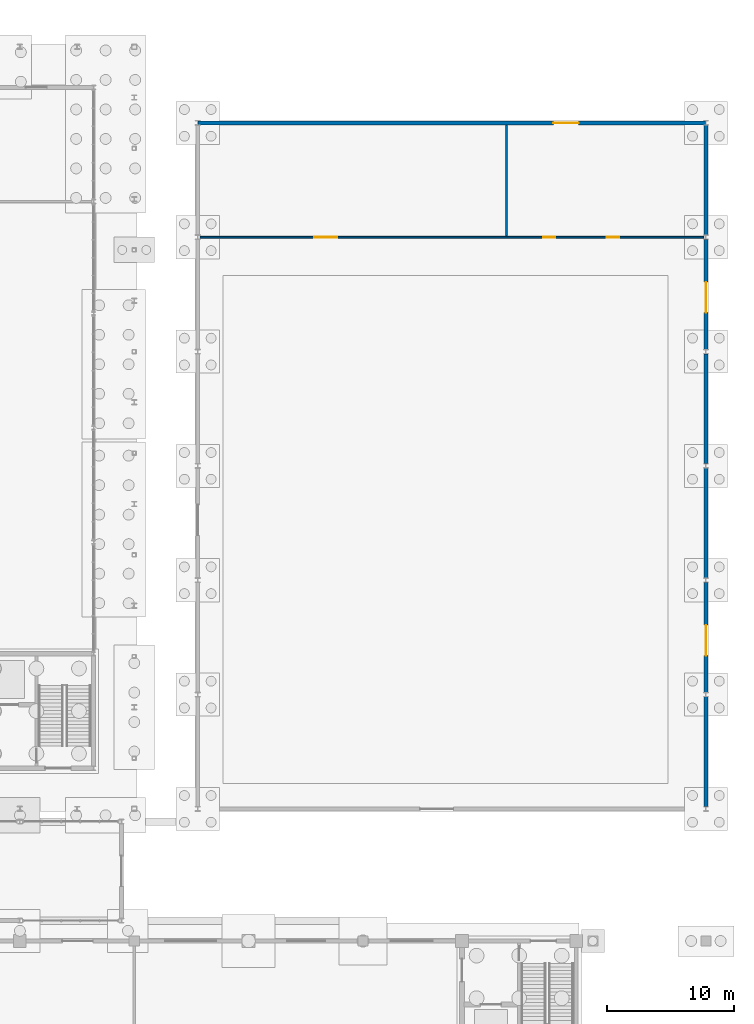
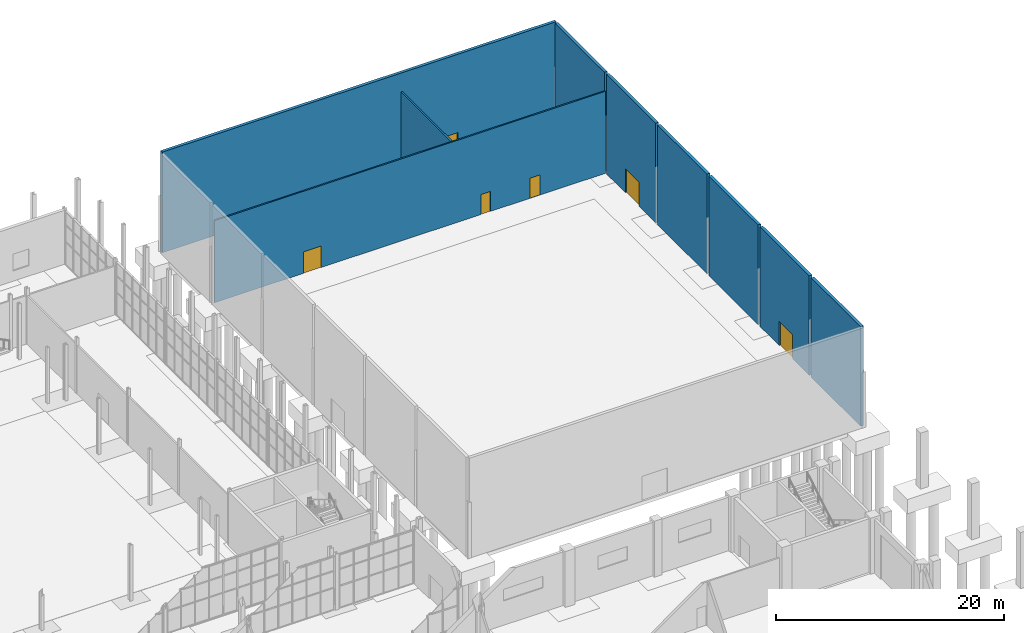
# One storey, part 107 of 131: 9 walls, 6 doors, 6 openings.
"""IFC4 building model written with IfcOpenShell, lengths in metres."""

from ifc_helpers import new_model, si_unit, direction, frame, frame_2d, origin, place, context, subcontext, project, spatial, rectangle, extrude, material, layer, layer_set, type_object, element, fill, save


model = new_model("IFC4")

# Units and contexts
model_context = context("Model", 3, precision=1e-05, world=origin(), true_north=direction((0.0, 1.0)))
body_context = subcontext(model_context, "Body", "Model", "MODEL_VIEW")
ifc_project = project(units=[si_unit("LENGTHUNIT", "METRE"), si_unit("AREAUNIT", "SQUARE_METRE"), si_unit("VOLUMEUNIT", "CUBIC_METRE"), si_unit("PLANEANGLEUNIT", "RADIAN"), si_unit("MASSUNIT", "GRAM", prefix="KILO")], contexts=[model_context])

# Site, building, storey
site_placement = place(None, origin())
site = spatial("IfcSite", under=ifc_project, at=site_placement, CompositionType="ELEMENT")
building_placement = place(site_placement, origin())
building = spatial("IfcBuilding", under=site, at=building_placement, Name="Cazmaro Siding Exhibition Halls", CompositionType="ELEMENT")
storey_placement = place(building_placement, origin())
storey = spatial("IfcBuildingStorey", under=building, at=storey_placement, Name="L00", CompositionType="ELEMENT", Elevation=0.0)

# Wall
ifc_material_1 = material(Name="Concrete f'c 45 MPa", Category="concrete")
ifc_layer_1 = layer(ifc_material_1, 0.300048828125)
ifc_layer_set_1 = layer_set([ifc_layer_1], Name="Concrete f'c 45 MPa")
wall_type_1 = type_object("IfcWallType", Name="EW-03", PredefinedType="STANDARD", material=ifc_layer_set_1)
wall_1_placement = place(storey_placement, frame((216.0, 72.827880859375, 0.0), z_axis=(0.0, 0.0, 1.0), x_axis=(0.0, -1.0, 0.0)))
element("IfcWall", 1, at=wall_1_placement, inside=storey, type_object=wall_type_1, Name="Sawtooth Pavilion East Wall EW-03 WL-E0156", PredefinedType="STANDARD", context=body_context, shape_type="SweptSolid", body=[
    extrude(rectangle(XDim=8.65576171875, YDim=0.300048828125, at=frame_2d((4.327880859375, 0.0))), origin(), (0.0, 0.0, 1.0), 10.679931640625),
])

# Wall, opening, door
wall_2_placement = place(storey_placement, frame((216.0, 81.827880859375, 0.0), z_axis=(0.0, 0.0, 1.0), x_axis=(0.0, -1.0, 0.0)))
wall_2 = element("IfcWall", 2, at=wall_2_placement, inside=storey, type_object=wall_type_1, Name="Sawtooth Pavilion East Wall EW-03 WL-E0158", PredefinedType="STANDARD", context=body_context, shape_type="SweptSolid", body=[
    extrude(rectangle(XDim=8.65576171875, YDim=0.300048828125, at=frame_2d((4.327880859375, 0.0))), origin(), (0.0, 0.0, 1.0), 10.679931640625),
])
opening_1_placement = place(wall_2_placement, frame((3.35595703125, 0.0, 0.0)))
opening_1 = element("IfcOpeningElement", 3, at=opening_1_placement, cuts=wall_2, Name="Opening D-E032", PredefinedType="OPENING", context=body_context, shape_type="SweptSolid", body=[
    extrude(rectangle(XDim=2.39990234375, YDim=2.60009765625, at=frame_2d((1.199951171875, 1.300048828125))), frame((0.0, 0.159912109375, 0.0), z_axis=(0.0, -1.0, 0.0), x_axis=(1.0, 0.0, 0.0)), (0.0, 0.0, 1.0), 0.320068359375),
])
ifc_material_2 = material(Name="Anodized Bronze Glazed Entrance Door", Category="aluminium")
door_type_1 = type_object("IfcDoorType", Name="ED-02", OperationType="DOUBLE_DOOR_SINGLE_SWING", PredefinedType="DOOR", material=ifc_material_2)
door_1_placement = place(opening_1_placement, origin())
door_1 = element("IfcDoor", 4, at=door_1_placement, inside=storey, type_object=door_type_1, Name="Exterior door D-E032 (ED-02)", OperationType="DOUBLE_DOOR_SINGLE_SWING", OverallHeight=2.60009765625, OverallWidth=2.39990234375, PredefinedType="DOOR", context=body_context, shape_type="SweptSolid", body=[
    extrude(rectangle(XDim=2.39990234375, YDim=2.60009765625, at=frame_2d((1.199951171875, 1.300048828125))), frame((0.0, 0.02490234375, 0.0), z_axis=(0.0, -1.0, 0.0), x_axis=(1.0, 0.0, 0.0)), (0.0, 0.0, 1.0), 0.050048828125),
])
fill(opening_1, door_1)

# Walls
for number, where, z_axis, x_axis, name in (
    (5, (216.0, 90.827880859375, 0.0), (0.0, 0.0, 1.0), (0.0, -1.0, 0.0), "Sawtooth Pavilion East Wall EW-03 WL-E0160"),
    (6, (216.0, 99.827880859375, 0.0), (0.0, 0.0, 1.0), (0.0, -1.0, 0.0), "Sawtooth Pavilion East Wall EW-03 WL-E0162"),
):
    element("IfcWall", number, at=place(storey_placement, frame(where, z_axis=z_axis, x_axis=x_axis)), inside=storey, type_object=wall_type_1, Name=name, PredefinedType="STANDARD", context=body_context, shape_type="SweptSolid", body=[
        extrude(rectangle(XDim=8.65576171875, YDim=0.300048828125, at=frame_2d((4.327880859375, 0.0))), origin(), (0.0, 0.0, 1.0), 10.679931640625),
    ])

# Wall, opening, door
wall_3_placement = place(storey_placement, frame((216.0, 108.827880859375, 0.0), z_axis=(0.0, 0.0, 1.0), x_axis=(0.0, -1.0, 0.0)))
wall_3 = element("IfcWall", 7, at=wall_3_placement, inside=storey, type_object=wall_type_1, Name="Sawtooth Pavilion East Wall EW-03 WL-E0164", PredefinedType="STANDARD", context=body_context, shape_type="SweptSolid", body=[
    extrude(rectangle(XDim=8.65576171875, YDim=0.300048828125, at=frame_2d((4.327880859375, 0.0))), origin(), (0.0, 0.0, 1.0), 10.679931640625),
])
opening_2_placement = place(wall_3_placement, frame((3.35595703125, 0.0, 0.0)))
opening_2 = element("IfcOpeningElement", 8, at=opening_2_placement, cuts=wall_3, Name="Opening D-E034", PredefinedType="OPENING", context=body_context, shape_type="SweptSolid", body=[
    extrude(rectangle(XDim=2.39990234375, YDim=2.60009765625, at=frame_2d((1.199951171875, 1.300048828125))), frame((0.0, 0.159912109375, 0.0), z_axis=(0.0, -1.0, 0.0), x_axis=(1.0, 0.0, 0.0)), (0.0, 0.0, 1.0), 0.320068359375),
])
door_2_placement = place(opening_2_placement, origin())
door_2 = element("IfcDoor", 9, at=door_2_placement, inside=storey, type_object=door_type_1, Name="Exterior door D-E034 (ED-02)", OperationType="DOUBLE_DOOR_SINGLE_SWING", OverallHeight=2.60009765625, OverallWidth=2.39990234375, PredefinedType="DOOR", context=body_context, shape_type="SweptSolid", body=[
    extrude(rectangle(XDim=2.39990234375, YDim=2.60009765625, at=frame_2d((1.199951171875, 1.300048828125))), frame((0.0, 0.02490234375, 0.0), z_axis=(0.0, -1.0, 0.0), x_axis=(1.0, 0.0, 0.0)), (0.0, 0.0, 1.0), 0.050048828125),
])
fill(opening_2, door_2)

# Wall
wall_4_placement = place(storey_placement, frame((216.0, 117.827880859375, 0.0), z_axis=(0.0, 0.0, 1.0), x_axis=(0.0, -1.0, 0.0)))
element("IfcWall", 10, at=wall_4_placement, inside=storey, type_object=wall_type_1, Name="Sawtooth Pavilion East Wall EW-03 WL-E0166", PredefinedType="STANDARD", context=body_context, shape_type="SweptSolid", body=[
    extrude(rectangle(XDim=8.65576171875, YDim=0.300048828125, at=frame_2d((4.327880859375, 0.0))), origin(), (0.0, 0.0, 1.0), 10.679931640625),
])

# Wall, opening, door
wall_5_placement = place(storey_placement, frame((176.012939453125, 118.0, 0.0), z_axis=(0.0, 0.0, 1.0), x_axis=(1.0, 0.0, 0.0)))
wall_5 = element("IfcWall", 11, at=wall_5_placement, inside=storey, type_object=wall_type_1, Name="Sawtooth Pavilion North Wall EW-03 WL-E0169", PredefinedType="STANDARD", context=body_context, shape_type="SweptSolid", body=[
    extrude(rectangle(XDim=39.97412109375, YDim=0.300048828125, at=frame_2d((19.987060546875, 0.0))), origin(), (0.0, 0.0, 1.0), 10.800048828125),
])
opening_3_placement = place(wall_5_placement, frame((27.97412109375, 0.0, 0.0)))
opening_3 = element("IfcOpeningElement", 12, at=opening_3_placement, cuts=wall_5, Name="Opening D-E036", PredefinedType="OPENING", context=body_context, shape_type="SweptSolid", body=[
    extrude(rectangle(XDim=2.0, YDim=2.39990234375, at=frame_2d((1.0, 1.199951171875))), frame((0.0, 0.159912109375, 0.0), z_axis=(0.0, -1.0, 0.0), x_axis=(1.0, 0.0, 0.0)), (0.0, 0.0, 1.0), 0.320068359375),
])
ifc_material_3 = material(Name="Anodized Bronze Glazed Entrance Door", Category="aluminium")
door_type_2 = type_object("IfcDoorType", Name="ED-01", OperationType="DOUBLE_DOOR_SINGLE_SWING", PredefinedType="DOOR", material=ifc_material_3)
door_3_placement = place(opening_3_placement, origin())
door_3 = element("IfcDoor", 13, at=door_3_placement, inside=storey, type_object=door_type_2, Name="Exterior door D-E036 (ED-01)", OperationType="DOUBLE_DOOR_SINGLE_SWING", OverallHeight=2.39990234375, OverallWidth=2.0, PredefinedType="DOOR", context=body_context, shape_type="SweptSolid", body=[
    extrude(rectangle(XDim=2.0, YDim=2.39990234375, at=frame_2d((1.0, 1.199951171875))), frame((0.0, 0.02490234375, 0.0), z_axis=(0.0, -1.0, 0.0), x_axis=(1.0, 0.0, 0.0)), (0.0, 0.0, 1.0), 0.050048828125),
])
fill(opening_3, door_3)

# Wall, openings, doors
ifc_material_4 = material(Name="Fire-Rated Gypsum Board on Cold-Formed Steel Studs", Category="steel")
ifc_layer_2 = layer(ifc_material_4, 0.14501953125)
ifc_layer_set_2 = layer_set([ifc_layer_2], Name="Fire-Rated Gypsum Board on Cold-Formed Steel Studs")
wall_type_2 = type_object("IfcWallType", Name="PW-01", PredefinedType="PARTITIONING", material=ifc_layer_set_2)
wall_6_placement = place(storey_placement, frame((176.178955078125, 109.0, 0.0), z_axis=(0.0, 0.0, 1.0), x_axis=(1.0, 0.0, 0.0)))
wall_6 = element("IfcWall", 14, at=wall_6_placement, inside=storey, type_object=wall_type_2, Name="Pavilion C Service Partition PW-01 WL-I0167", PredefinedType="PARTITIONING", context=body_context, shape_type="SweptSolid", body=[
    extrude(rectangle(XDim=39.64208984375, YDim=0.14501953125, at=frame_2d((19.821044921875, 0.0))), origin(), (0.0, 0.0, 1.0), 8.800048828125),
])
opening_4_placement = place(wall_6_placement, frame((9.0, 0.0, 0.0)))
opening_4 = element("IfcOpeningElement", 15, at=opening_4_placement, cuts=wall_6, Name="Opening D-I079", PredefinedType="OPENING", context=body_context, shape_type="SweptSolid", body=[
    extrude(rectangle(XDim=1.800048828125, YDim=2.300048828125, at=frame_2d((0.89990234375, 1.14990234375))), frame((0.0, 0.08251953125, 0.0), z_axis=(0.0, -1.0, 0.0), x_axis=(1.0, 0.0, 0.0)), (0.0, 0.0, 1.0), 0.1650390625),
])
opening_5_placement = place(wall_6_placement, frame((27.0, 0.0, 0.0)))
opening_5 = element("IfcOpeningElement", 16, at=opening_5_placement, cuts=wall_6, Name="Opening D-I080", PredefinedType="OPENING", context=body_context, shape_type="SweptSolid", body=[
    extrude(rectangle(XDim=0.97998046875, YDim=2.14990234375, at=frame_2d((0.489990234375, 1.074951171875))), frame((0.0, 0.08251953125, 0.0), z_axis=(0.0, -1.0, 0.0), x_axis=(1.0, 0.0, 0.0)), (0.0, 0.0, 1.0), 0.1650390625),
])
opening_6_placement = place(wall_6_placement, frame((32.0, 0.0, 0.0)))
opening_6 = element("IfcOpeningElement", 17, at=opening_6_placement, cuts=wall_6, Name="Opening D-I081", PredefinedType="OPENING", context=body_context, shape_type="SweptSolid", body=[
    extrude(rectangle(XDim=1.02001953125, YDim=2.159912109375, at=frame_2d((0.510009765625, 1.080078125))), frame((0.0, 0.08251953125, 0.0), z_axis=(0.0, -1.0, 0.0), x_axis=(1.0, 0.0, 0.0)), (0.0, 0.0, 1.0), 0.1650390625),
])
ifc_material_5 = material(Name="Fire-Rated Painted Hollow Metal Door", Category="steel")
door_type_3 = type_object("IfcDoorType", Name="ID-02", OperationType="DOUBLE_DOOR_SINGLE_SWING", PredefinedType="DOOR", material=ifc_material_5)
door_4_placement = place(opening_4_placement, origin())
door_4 = element("IfcDoor", 18, at=door_4_placement, inside=storey, type_object=door_type_3, Name="Interior door D-I079 (ID-02)", OperationType="DOUBLE_DOOR_SINGLE_SWING", OverallHeight=2.300048828125, OverallWidth=1.800048828125, PredefinedType="DOOR", context=body_context, shape_type="SweptSolid", body=[
    extrude(rectangle(XDim=1.800048828125, YDim=2.300048828125, at=frame_2d((0.89990234375, 1.14990234375))), frame((0.0, 0.02490234375, 0.0), z_axis=(0.0, -1.0, 0.0), x_axis=(1.0, 0.0, 0.0)), (0.0, 0.0, 1.0), 0.050048828125),
])
fill(opening_4, door_4)
ifc_material_6 = material(Name="Fire-Rated Painted Hollow Metal Door", Category="steel")
door_type_4 = type_object("IfcDoorType", Name="ID-03", OperationType="NOTDEFINED", PredefinedType="DOOR", material=ifc_material_6)
door_5_placement = place(opening_5_placement, origin())
door_5 = element("IfcDoor", 19, at=door_5_placement, inside=storey, type_object=door_type_4, Name="Interior door D-I080 (ID-03)", OperationType="SINGLE_SWING_LEFT", OverallHeight=2.14990234375, OverallWidth=0.97998046875, PredefinedType="DOOR", context=body_context, shape_type="SweptSolid", body=[
    extrude(rectangle(XDim=0.97998046875, YDim=2.14990234375, at=frame_2d((0.489990234375, 1.074951171875))), frame((0.0, 0.02490234375, 0.0), z_axis=(0.0, -1.0, 0.0), x_axis=(1.0, 0.0, 0.0)), (0.0, 0.0, 1.0), 0.050048828125),
])
fill(opening_5, door_5)
ifc_material_7 = material(Name="Fire-Rated Painted Hollow Metal Door", Category="steel")
door_type_5 = type_object("IfcDoorType", Name="ID-07", OperationType="NOTDEFINED", PredefinedType="DOOR", material=ifc_material_7)
door_6_placement = place(opening_6_placement, origin())
door_6 = element("IfcDoor", 20, at=door_6_placement, inside=storey, type_object=door_type_5, Name="Interior door D-I081 (ID-07)", OperationType="SINGLE_SWING_RIGHT", OverallHeight=2.159912109375, OverallWidth=1.02001953125, PredefinedType="DOOR", context=body_context, shape_type="SweptSolid", body=[
    extrude(rectangle(XDim=1.02001953125, YDim=2.159912109375, at=frame_2d((0.510009765625, 1.080078125))), frame((0.0, 0.02490234375, 0.0), z_axis=(0.0, -1.0, 0.0), x_axis=(1.0, 0.0, 0.0)), (0.0, 0.0, 1.0), 0.050048828125),
])
fill(opening_6, door_6)

# Wall
ifc_material_8 = material(Name="Moisture-Resistant Gypsum Board on Acoustic Steel Studs", Category="steel")
ifc_layer_3 = layer(ifc_material_8, 0.1650390625)
ifc_layer_set_3 = layer_set([ifc_layer_3], Name="Moisture-Resistant Gypsum Board on Acoustic Steel Studs")
wall_type_3 = type_object("IfcWallType", Name="PW-02", PredefinedType="PARTITIONING", material=ifc_layer_set_3)
wall_7_placement = place(storey_placement, frame((200.300048828125, 109.10009765625, 0.0), z_axis=(0.0, 0.0, 1.0), x_axis=(0.0, 1.0, 0.0)))
element("IfcWall", 21, at=wall_7_placement, inside=storey, type_object=wall_type_3, Name="Pavilion C Restroom Divider PW-02 WL-I0168", PredefinedType="PARTITIONING", context=body_context, shape_type="SweptSolid", body=[
    extrude(rectangle(XDim=8.739990234375, YDim=0.1650390625, at=frame_2d((4.3701171875, 0.0))), origin(), (0.0, 0.0, 1.0), 8.800048828125),
])

save(model, "model.ifc")
